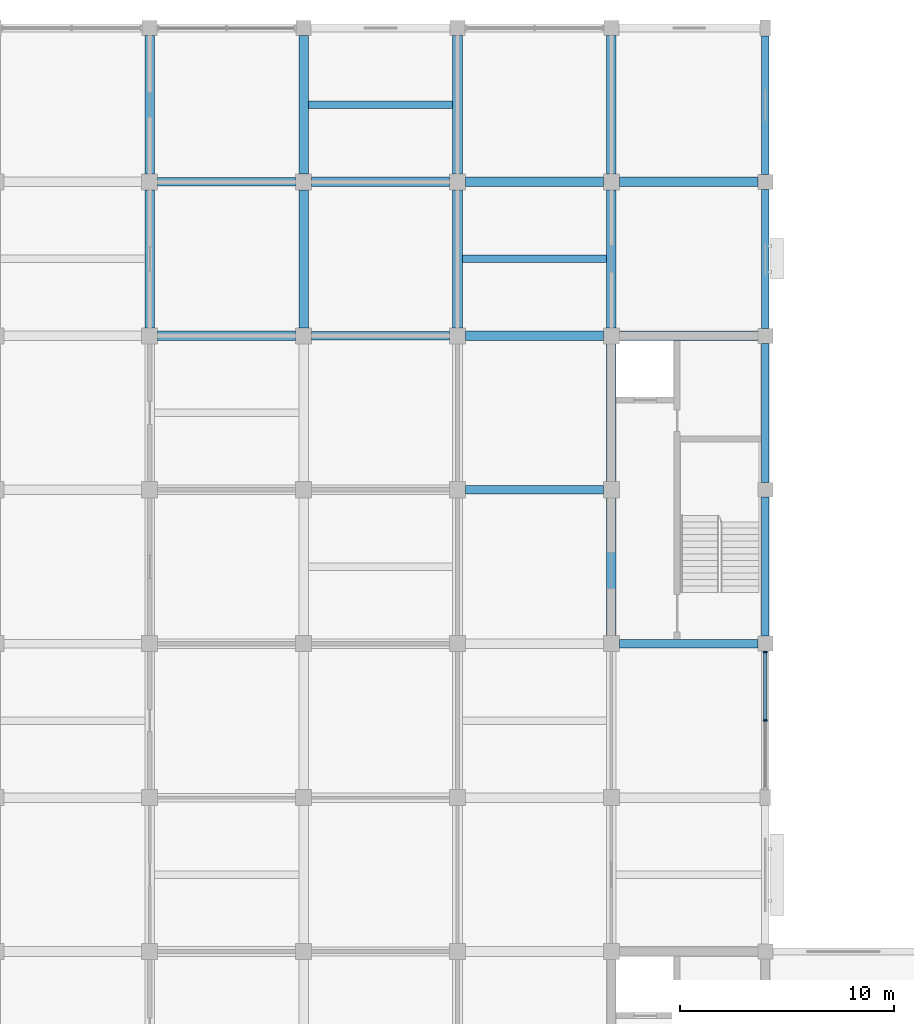
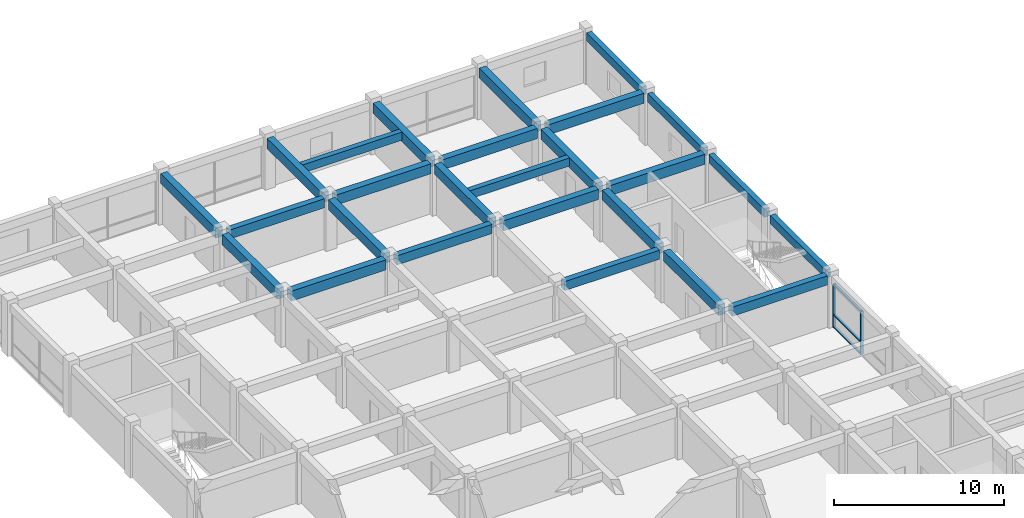
# One storey, part 9 of 25: 26 beams, 5 members, 1 element without a shape of its own.
"""IFC4 building model written with IfcOpenShell, lengths in metres."""

from ifc_helpers import new_model, si_unit, direction, frame, origin, origin_2d, place, context, subcontext, project, spatial, rectangle, extrude, material, layer, layer_set, material_profile, profile_set, type_object, element, aggregate, save


model = new_model("IFC4")

# Units and contexts
model_context = context("Model", 3, precision=1e-05, world=origin(), true_north=direction((0.0, 1.0)))
body_context = subcontext(model_context, "Body", "Model", "MODEL_VIEW")
ifc_project = project(units=[si_unit("LENGTHUNIT", "METRE"), si_unit("AREAUNIT", "SQUARE_METRE"), si_unit("VOLUMEUNIT", "CUBIC_METRE"), si_unit("PLANEANGLEUNIT", "RADIAN"), si_unit("MASSUNIT", "GRAM", prefix="KILO")], contexts=[model_context])

# Site, building, storey
site_placement = place(None, origin())
site = spatial("IfcSite", under=ifc_project, at=site_placement, CompositionType="ELEMENT")
building_placement = place(site_placement, origin())
building = spatial("IfcBuilding", under=site, at=building_placement, Name="Cendaluz Park School", CompositionType="ELEMENT")
storey_placement = place(building_placement, frame((0.0, 0.0, 18.60009765625)))
storey = spatial("IfcBuildingStorey", under=building, at=storey_placement, Name="L04", CompositionType="ELEMENT", Elevation=18.60009765625)

# Beams
ifc_material_1 = material(Name="Concrete C40/50", Category="concrete")
ifc_material_profile_1 = material_profile(ifc_material_1, rectangle(XDim=0.449951171875, YDim=0.719970703125, at=origin_2d()), Name="RC 450x720", Category="concrete")
ifc_profile_set_1 = profile_set([ifc_material_profile_1], Name="Concrete C40/50")
beam_type_1 = type_object("IfcBeamType", Name="BM-RC02", PredefinedType="BEAM", material=ifc_profile_set_1)
beam_1_placement = place(storey_placement, frame((79.574951171875, 57.60009765625, 3.329833984375), z_axis=(1.0, 0.0, 0.0), x_axis=(0.0, 1.0, 0.0)))
element("IfcBeam", 1, at=beam_1_placement, inside=storey, type_object=beam_type_1, Name="BM-L04-BMRC02-0053", PredefinedType="BEAM", context=body_context, shape_type="SweptSolid", body=[
    extrude(rectangle(XDim=0.449951171875, YDim=0.719970703125, at=origin_2d()), origin(), (0.0, 0.0, 1.0), 6.449951171875),
])
beam_2_placement = place(storey_placement, frame((86.77490234375, 64.800048828125, 3.329833984375), z_axis=(1.0, 0.0, 0.0), x_axis=(0.0, 1.0, 0.0)))
element("IfcBeam", 2, at=beam_2_placement, inside=storey, type_object=beam_type_1, Name="BM-L04-BMRC02-0064", PredefinedType="BEAM", context=body_context, shape_type="SweptSolid", body=[
    extrude(rectangle(XDim=0.449951171875, YDim=0.719970703125, at=origin_2d()), origin(), (0.0, 0.0, 1.0), 6.4501953125),
])
for number, where, z_axis, x_axis, name in (
    (3, (93.97509765625, 57.60009765625, 3.329833984375), (1.0, 0.0, 0.0), (0.0, 1.0, 0.0), "BM-L04-BMRC02-0073"),
    (4, (93.97509765625, 64.800048828125, 3.329833984375), (1.0, 0.0, 0.0), (0.0, 1.0, 0.0), "BM-L04-BMRC02-0074"),
):
    element("IfcBeam", number, at=place(storey_placement, frame(where, z_axis=z_axis, x_axis=x_axis)), inside=storey, type_object=beam_type_1, Name=name, PredefinedType="BEAM", context=body_context, shape_type="SweptSolid", body=[
        extrude(rectangle(XDim=0.449951171875, YDim=0.719970703125, at=origin_2d()), origin(), (0.0, 0.0, 1.0), 6.449951171875),
    ])
for number, where, z_axis, x_axis, name in (
    (5, (101.175048828125, 57.60009765625, 3.329833984375), (1.0, 0.0, 0.0), (0.0, 1.0, 0.0), "BM-L04-BMRC02-0081"),
    (6, (101.175048828125, 64.800048828125, 3.329833984375), (1.0, 0.0, 0.0), (0.0, 1.0, 0.0), "BM-L04-BMRC02-0082"),
):
    element("IfcBeam", number, at=place(storey_placement, frame(where, z_axis=z_axis, x_axis=x_axis)), inside=storey, type_object=beam_type_1, Name=name, PredefinedType="BEAM", context=body_context, shape_type="SweptSolid", body=[
        extrude(rectangle(XDim=0.449951171875, YDim=0.719970703125, at=origin_2d()), origin(), (0.0, 0.0, 1.0), 6.474853515625),
    ])
beam_3_placement = place(storey_placement, frame((79.199951171875, 57.97509765625, 3.329833984375), z_axis=(0.0, 1.0, 0.0), x_axis=(-1.0, 0.0, 0.0)))
element("IfcBeam", 7, at=beam_3_placement, inside=storey, type_object=beam_type_1, Name="BM-L04-BMRC02-0157", PredefinedType="BEAM", context=body_context, shape_type="SweptSolid", body=[
    extrude(rectangle(XDim=0.449951171875, YDim=0.719970703125, at=origin_2d()), origin(), (0.0, 0.0, 1.0), 6.449951171875),
])
beam_4_placement = place(storey_placement, frame((79.199951171875, 65.175048828125, 3.329833984375), z_axis=(0.0, 1.0, 0.0), x_axis=(-1.0, 0.0, 0.0)))
element("IfcBeam", 8, at=beam_4_placement, inside=storey, type_object=beam_type_1, Name="BM-L04-BMRC02-0158", PredefinedType="BEAM", context=body_context, shape_type="SweptSolid", body=[
    extrude(rectangle(XDim=0.449951171875, YDim=0.719970703125, at=origin_2d()), origin(), (0.0, 0.0, 1.0), 6.474853515625),
])
beam_5_placement = place(storey_placement, frame((86.39990234375, 57.97509765625, 3.329833984375), z_axis=(0.0, 1.0, 0.0), x_axis=(-1.0, 0.0, 0.0)))
element("IfcBeam", 9, at=beam_5_placement, inside=storey, type_object=beam_type_1, Name="BM-L04-BMRC02-0166", PredefinedType="BEAM", context=body_context, shape_type="SweptSolid", body=[
    extrude(rectangle(XDim=0.449951171875, YDim=0.719970703125, at=origin_2d()), origin(), (0.0, 0.0, 1.0), 6.449951171875),
])
beam_6_placement = place(storey_placement, frame((86.39990234375, 65.175048828125, 3.329833984375), z_axis=(0.0, 1.0, 0.0), x_axis=(-1.0, 0.0, 0.0)))
element("IfcBeam", 10, at=beam_6_placement, inside=storey, type_object=beam_type_1, Name="BM-L04-BMRC02-0167", PredefinedType="BEAM", context=body_context, shape_type="SweptSolid", body=[
    extrude(rectangle(XDim=0.449951171875, YDim=0.719970703125, at=origin_2d()), origin(), (0.0, 0.0, 1.0), 6.474853515625),
])
beam_7_placement = place(storey_placement, frame((93.60009765625, 57.97509765625, 3.329833984375), z_axis=(0.0, 1.0, 0.0), x_axis=(-1.0, 0.0, 0.0)))
element("IfcBeam", 11, at=beam_7_placement, inside=storey, type_object=beam_type_1, Name="BM-L04-BMRC02-0175", PredefinedType="BEAM", context=body_context, shape_type="SweptSolid", body=[
    extrude(rectangle(XDim=0.449951171875, YDim=0.719970703125, at=origin_2d()), origin(), (0.0, 0.0, 1.0), 6.449951171875),
])
beam_8_placement = place(storey_placement, frame((93.60009765625, 65.175048828125, 3.329833984375), z_axis=(0.0, 1.0, 0.0), x_axis=(-1.0, 0.0, 0.0)))
element("IfcBeam", 12, at=beam_8_placement, inside=storey, type_object=beam_type_1, Name="BM-L04-BMRC02-0176", PredefinedType="BEAM", context=body_context, shape_type="SweptSolid", body=[
    extrude(rectangle(XDim=0.449951171875, YDim=0.719970703125, at=origin_2d()), origin(), (0.0, 0.0, 1.0), 6.474853515625),
])
beam_9_placement = place(storey_placement, frame((100.800048828125, 43.574951171875, 3.329833984375), z_axis=(0.0, 1.0, 0.0), x_axis=(-1.0, 0.0, 0.0)))
element("IfcBeam", 13, at=beam_9_placement, inside=storey, type_object=beam_type_1, Name="BM-L04-BMRC02-0182", PredefinedType="BEAM", context=body_context, shape_type="SweptSolid", body=[
    extrude(rectangle(XDim=0.449951171875, YDim=0.719970703125, at=origin_2d()), origin(), (0.0, 0.0, 1.0), 6.449951171875),
])
beam_10_placement = place(storey_placement, frame((100.800048828125, 50.77490234375, 3.329833984375), z_axis=(0.0, 1.0, 0.0), x_axis=(-1.0, 0.0, 0.0)))
element("IfcBeam", 14, at=beam_10_placement, inside=storey, type_object=beam_type_1, Name="BM-L04-BMRC02-0183", PredefinedType="BEAM", context=body_context, shape_type="SweptSolid", body=[
    extrude(rectangle(XDim=0.449951171875, YDim=0.719970703125, at=origin_2d()), origin(), (0.0, 0.0, 1.0), 6.4501953125),
])
beam_11_placement = place(storey_placement, frame((100.800048828125, 57.97509765625, 3.329833984375), z_axis=(0.0, 1.0, 0.0), x_axis=(-1.0, 0.0, 0.0)))
element("IfcBeam", 15, at=beam_11_placement, inside=storey, type_object=beam_type_1, Name="BM-L04-BMRC02-0184", PredefinedType="BEAM", context=body_context, shape_type="SweptSolid", body=[
    extrude(rectangle(XDim=0.449951171875, YDim=0.719970703125, at=origin_2d()), origin(), (0.0, 0.0, 1.0), 6.449951171875),
])
beam_12_placement = place(storey_placement, frame((100.800048828125, 65.175048828125, 3.329833984375), z_axis=(0.0, 1.0, 0.0), x_axis=(-1.0, 0.0, 0.0)))
element("IfcBeam", 16, at=beam_12_placement, inside=storey, type_object=beam_type_1, Name="BM-L04-BMRC02-0185", PredefinedType="BEAM", context=body_context, shape_type="SweptSolid", body=[
    extrude(rectangle(XDim=0.449951171875, YDim=0.719970703125, at=origin_2d()), origin(), (0.0, 0.0, 1.0), 6.474853515625),
])
ifc_material_profile_2 = material_profile(ifc_material_1, rectangle(XDim=0.39990234375, YDim=0.64990234375, at=origin_2d()), Name="RC 400x650", Category="concrete")
ifc_profile_set_2 = profile_set([ifc_material_profile_2], Name="Concrete C40/50")
beam_type_2 = type_object("IfcBeamType", Name="BM-RC03", PredefinedType="T_BEAM", material=ifc_profile_set_2)
beam_13_placement = place(storey_placement, frame((79.574951171875, 64.800048828125, 3.364990234375), z_axis=(1.0, 0.0, 0.0), x_axis=(0.0, 1.0, 0.0)))
element("IfcBeam", 17, at=beam_13_placement, inside=storey, type_object=beam_type_2, Name="BM-L04-BMRC03-0054", PredefinedType="T_BEAM", context=body_context, shape_type="SweptSolid", body=[
    extrude(rectangle(XDim=0.39990234375, YDim=0.64990234375, at=origin_2d()), origin(), (0.0, 0.0, 1.0), 6.449951171875),
])
beam_14_placement = place(storey_placement, frame((86.77490234375, 57.60009765625, 3.364990234375), z_axis=(1.0, 0.0, 0.0), x_axis=(0.0, 1.0, 0.0)))
element("IfcBeam", 18, at=beam_14_placement, inside=storey, type_object=beam_type_2, Name="BM-L04-BMRC03-0063", PredefinedType="T_BEAM", context=body_context, shape_type="SweptSolid", body=[
    extrude(rectangle(XDim=0.39990234375, YDim=0.64990234375, at=origin_2d()), origin(), (0.0, 0.0, 1.0), 6.4501953125),
])
beam_15_placement = place(storey_placement, frame((93.97509765625, 50.39990234375, 3.364990234375), z_axis=(1.0, 0.0, 0.0), x_axis=(0.0, 1.0, 0.0)))
element("IfcBeam", 19, at=beam_15_placement, inside=storey, type_object=beam_type_2, Name="BM-L04-BMRC03-0072", PredefinedType="T_BEAM", context=body_context, shape_type="SweptSolid", body=[
    extrude(rectangle(XDim=0.39990234375, YDim=0.64990234375, at=origin_2d()), origin(), (0.0, 0.0, 1.0), 6.449951171875),
])
beam_16_placement = place(storey_placement, frame((101.175048828125, 43.199951171875, 3.364990234375), z_axis=(1.0, 0.0, 0.0), x_axis=(0.0, 1.0, 0.0)))
element("IfcBeam", 20, at=beam_16_placement, inside=storey, type_object=beam_type_2, Name="BM-L04-BMRC03-0080", PredefinedType="T_BEAM", context=body_context, shape_type="SweptSolid", body=[
    extrude(rectangle(XDim=0.39990234375, YDim=0.64990234375, at=origin_2d()), origin(), (0.0, 0.0, 1.0), 6.474853515625),
])
ifc_material_profile_3 = material_profile(ifc_material_1, rectangle(XDim=0.35009765625, YDim=0.580078125, at=origin_2d()), Name="RC 350x580", Category="concrete")
ifc_profile_set_3 = profile_set([ifc_material_profile_3], Name="Concrete C40/50")
beam_type_3 = type_object("IfcBeamType", Name="BM-RC04", PredefinedType="LINTEL", material=ifc_profile_set_3)
for number, where, z_axis, x_axis, name in (
    (21, (108.0, 43.550048828125, 3.39990234375), (0.0, 1.0, 0.0), (-1.0, 0.0, 0.0), "BM-L04-BMRC04-0191"),
    (22, (108.0, 50.75, 3.39990234375), (0.0, 1.0, 0.0), (-1.0, 0.0, 0.0), "BM-L04-BMRC04-0192"),
    (23, (108.0, 57.949951171875, 3.39990234375), (0.0, 1.0, 0.0), (-1.0, 0.0, 0.0), "BM-L04-BMRC04-0193"),
):
    element("IfcBeam", number, at=place(storey_placement, frame(where, z_axis=z_axis, x_axis=x_axis)), inside=storey, type_object=beam_type_3, Name=name, PredefinedType="LINTEL", context=body_context, shape_type="SweptSolid", body=[
        extrude(rectangle(XDim=0.35009765625, YDim=0.580078125, at=origin_2d()), origin(), (0.0, 0.0, 1.0), 6.5),
    ])
beam_17_placement = place(storey_placement, frame((108.0, 65.14990234375, 3.39990234375), z_axis=(0.0, 1.0, 0.0), x_axis=(-1.0, 0.0, 0.0)))
element("IfcBeam", 24, at=beam_17_placement, inside=storey, type_object=beam_type_3, Name="BM-L04-BMRC04-0194", PredefinedType="LINTEL", context=body_context, shape_type="SweptSolid", body=[
    extrude(rectangle(XDim=0.35009765625, YDim=0.580078125, at=origin_2d()), origin(), (0.0, 0.0, 1.0), 6.47509765625),
])

# Curtain wall, members
ifc_material_2 = material(Name="Anodised Aluminium 6063-T6", Category="aluminium")
ifc_layer = layer(ifc_material_2, 0.179931640625)
ifc_layer_set = layer_set([ifc_layer], Name="Anodised Aluminium 6063-T6")
curtain_wall_type = type_object("IfcCurtainWallType", Name="CW-130x62", PredefinedType="NOTDEFINED", material=ifc_layer_set)
curtain_wall_placement = place(storey_placement, origin())
curtain_wall = element("IfcCurtainWall", 25, at=curtain_wall_placement, inside=storey, type_object=curtain_wall_type, Name="CW-L04-182", PredefinedType="NOTDEFINED")
ifc_material_profile_4 = material_profile(ifc_material_2, rectangle(XDim=0.199951171875, YDim=0.080078125, at=origin_2d()), Name="CWM 200x80", Category="aluminium")
ifc_profile_set_4 = profile_set([ifc_material_profile_4], Name="Anodised Aluminium 6063-T6")
member_type_1 = type_object("IfcMemberType", Name="CWM-02", PredefinedType="MULLION", material=ifc_profile_set_4)
member_1_placement = place(storey_placement, frame((108.0, 39.612548828125, 0.0), z_axis=(0.0, 0.0, 1.0), x_axis=(-1.0, 0.0, 0.0)))
member_1 = element("IfcMember", 26, at=member_1_placement, type_object=member_type_1, Name="CP-L04-2355", PredefinedType="MULLION", context=body_context, shape_type="SweptSolid", body=[
    extrude(rectangle(XDim=0.199951171875, YDim=0.080078125, at=origin_2d()), origin(), (0.0, 0.0, 1.0), 3.10986328125),
])
member_2_placement = place(storey_placement, frame((108.0, 42.81005859375, 0.0), z_axis=(0.0, 0.0, 1.0), x_axis=(-1.0, 0.0, 0.0)))
member_2 = element("IfcMember", 27, at=member_2_placement, type_object=member_type_1, Name="CP-L04-2356", PredefinedType="MULLION", context=body_context, shape_type="SweptSolid", body=[
    extrude(rectangle(XDim=0.199951171875, YDim=0.080078125, at=origin_2d()), origin(), (0.0, 0.0, 1.0), 3.10986328125),
])
ifc_material_profile_5 = material_profile(ifc_material_2, rectangle(XDim=0.14990234375, YDim=0.080078125, at=origin_2d()), Name="CWT 150x80", Category="aluminium")
ifc_profile_set_5 = profile_set([ifc_material_profile_5], Name="Anodised Aluminium 6063-T6")
member_type_2 = type_object("IfcMemberType", Name="CWT-02", PredefinedType="USERDEFINED", material=ifc_profile_set_5)
member_3_placement = place(storey_placement, frame((108.0, 39.652587890625, 0.039794921875), z_axis=(0.0, 1.0, 0.0), x_axis=(-1.0, 0.0, 0.0)))
member_3 = element("IfcMember", 28, at=member_3_placement, type_object=member_type_2, Name="CP-L04-2362", ObjectType="TRANSOM", PredefinedType="USERDEFINED", context=body_context, shape_type="SweptSolid", body=[
    extrude(rectangle(XDim=0.14990234375, YDim=0.080078125, at=origin_2d()), origin(), (0.0, 0.0, 1.0), 3.117431640625),
])
member_4_placement = place(storey_placement, frame((108.0, 39.652587890625, 0.89990234375), z_axis=(0.0, 1.0, 0.0), x_axis=(-1.0, 0.0, 0.0)))
member_4 = element("IfcMember", 29, at=member_4_placement, type_object=member_type_2, Name="CP-L04-2363", ObjectType="TRANSOM", PredefinedType="USERDEFINED", context=body_context, shape_type="SweptSolid", body=[
    extrude(rectangle(XDim=0.14990234375, YDim=0.080078125, at=origin_2d()), origin(), (0.0, 0.0, 1.0), 3.117431640625),
])
member_5_placement = place(storey_placement, frame((108.0, 39.652587890625, 3.06982421875), z_axis=(0.0, 1.0, 0.0), x_axis=(-1.0, 0.0, 0.0)))
member_5 = element("IfcMember", 30, at=member_5_placement, type_object=member_type_2, Name="CP-L04-2364", ObjectType="TRANSOM", PredefinedType="USERDEFINED", context=body_context, shape_type="SweptSolid", body=[
    extrude(rectangle(XDim=0.14990234375, YDim=0.080078125, at=origin_2d()), origin(), (0.0, 0.0, 1.0), 3.117431640625),
])
aggregate(curtain_wall, [member_1, member_2, member_3, member_4, member_5])

# Beams
ifc_material_profile_6 = material_profile(ifc_material_1, rectangle(XDim=0.35009765625, YDim=0.580078125, at=origin_2d()), Name="RC 350x580", Category="concrete")
ifc_profile_set_6 = profile_set([ifc_material_profile_6], Name="Concrete C40/50")
beam_type_4 = type_object("IfcBeamType", Name="JT-RC01", PredefinedType="JOIST", material=ifc_profile_set_6)
for number, where, z_axis, x_axis, name in (
    (31, (86.625, 68.39990234375, 3.39990234375), (1.0, 0.0, 0.0), (0.0, 1.0, 0.0), "BM-L04-JTRC01-0232"),
    (32, (93.824951171875, 61.199951171875, 3.39990234375), (1.0, 0.0, 0.0), (0.0, 1.0, 0.0), "BM-L04-JTRC01-0235"),
):
    element("IfcBeam", number, at=place(storey_placement, frame(where, z_axis=z_axis, x_axis=x_axis)), inside=storey, type_object=beam_type_4, Name=name, PredefinedType="JOIST", context=body_context, shape_type="SweptSolid", body=[
        extrude(rectangle(XDim=0.35009765625, YDim=0.580078125, at=origin_2d()), origin(), (0.0, 0.0, 1.0), 6.75),
    ])

save(model, "model.ifc")
